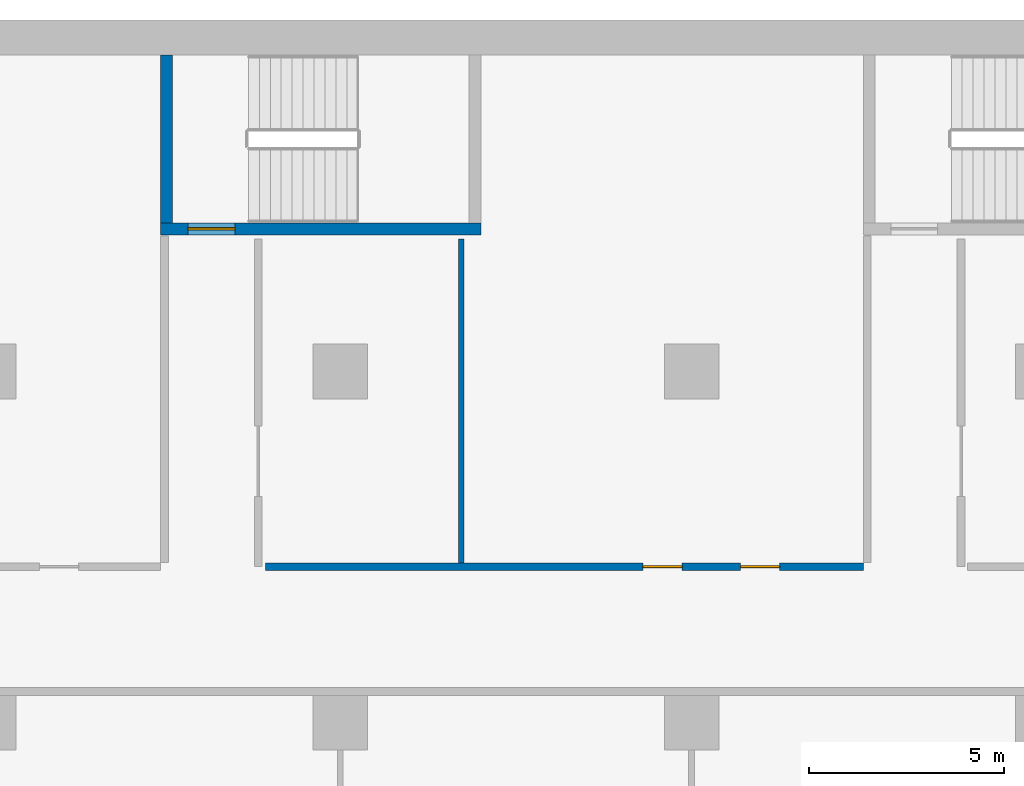
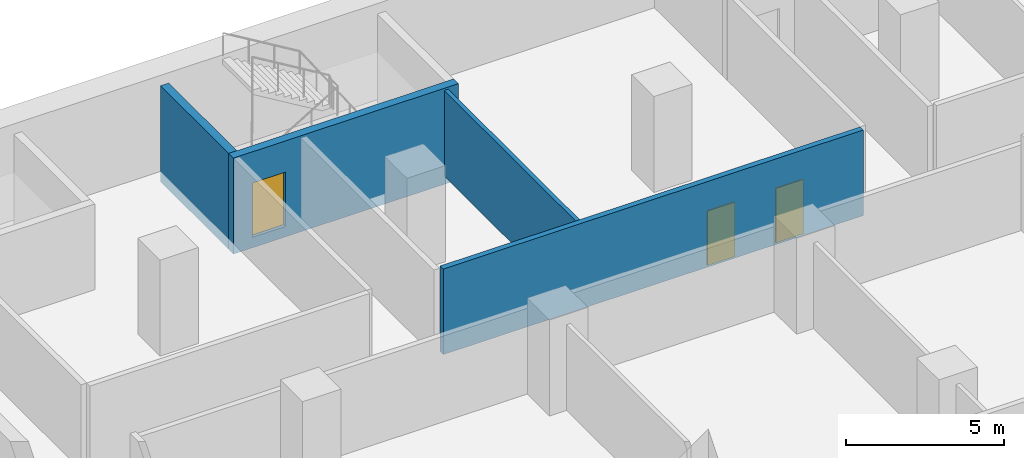
# One storey, part 16 of 28: 4 walls, 3 doors, 3 openings.
"""IFC4 building model written with IfcOpenShell, lengths in metres."""

from ifc_helpers import new_model, si_unit, direction, frame, frame_2d, origin, place, context, subcontext, project, spatial, rectangle, extrude, material, layer, layer_set, type_object, element, fill, save


model = new_model("IFC4")

# Units and contexts
model_context = context("Model", 3, precision=1e-05, world=origin(), true_north=direction((0.0, 1.0)))
body_context = subcontext(model_context, "Body", "Model", "MODEL_VIEW")
ifc_project = project(units=[si_unit("LENGTHUNIT", "METRE"), si_unit("AREAUNIT", "SQUARE_METRE"), si_unit("VOLUMEUNIT", "CUBIC_METRE"), si_unit("PLANEANGLEUNIT", "RADIAN"), si_unit("MASSUNIT", "GRAM", prefix="KILO")], contexts=[model_context])

# Site, building, storey
site_placement = place(None, origin())
site = spatial("IfcSite", under=ifc_project, at=site_placement, CompositionType="ELEMENT")
building_placement = place(site_placement, origin())
building = spatial("IfcBuilding", under=site, at=building_placement, Name="Hunhe Ridgeline Campus", CompositionType="ELEMENT")
storey_placement = place(building_placement, frame((0.0, 0.0, 61.699951171875)))
storey = spatial("IfcBuildingStorey", under=building, at=storey_placement, Name="L14", CompositionType="ELEMENT", Elevation=61.699951171875)

# Wall, openings, doors
ifc_material_1 = material(Name="Gypsum board partition")
ifc_layer_1 = layer(ifc_material_1, 0.199951171875)
ifc_layer_set_1 = layer_set([ifc_layer_1], Name="Corridor partition 200 gypsum board on steel studs")
wall_type_1 = type_object("IfcWallType", Name="Corridor partition 200 gypsum board on steel studs", PredefinedType="PARTITIONING", material=ifc_layer_set_1)
wall_1_placement = place(storey_placement, frame((52.087646484375, 85.0, 0.0), z_axis=(0.0, 0.0, 1.0), x_axis=(1.0, 0.0, 0.0)))
wall_1 = element("IfcWall", 1, at=wall_1_placement, inside=storey, type_object=wall_type_1, Name="F-L14-wall-044", PredefinedType="PARTITIONING", context=body_context, shape_type="SweptSolid", body=[
    extrude(rectangle(XDim=15.312255859375, YDim=0.199951171875, at=frame_2d((7.65625, 0.0))), origin(), (0.0, 0.0, 1.0), 3.300048828125),
])
opening_1_placement = place(wall_1_placement, frame((9.66650390625, 0.0, 0.0)))
opening_1 = element("IfcOpeningElement", 2, at=opening_1_placement, cuts=wall_1, Name="Opening RD1-042", PredefinedType="OPENING", context=body_context, shape_type="SweptSolid", body=[
    extrude(rectangle(XDim=1.0, YDim=2.10009765625, at=frame_2d((0.5, 1.050048828125))), frame((0.0, 0.10009765625, 0.0), z_axis=(0.0, -1.0, 0.0), x_axis=(1.0, 0.0, 0.0)), (0.0, 0.0, 1.0), 0.199951171875),
])
opening_2_placement = place(wall_1_placement, frame((12.16650390625, 0.0, 0.0)))
opening_2 = element("IfcOpeningElement", 3, at=opening_2_placement, cuts=wall_1, Name="Opening RD1-043", PredefinedType="OPENING", context=body_context, shape_type="SweptSolid", body=[
    extrude(rectangle(XDim=1.0, YDim=2.10009765625, at=frame_2d((0.5, 1.050048828125))), frame((0.0, 0.10009765625, 0.0), z_axis=(0.0, -1.0, 0.0), x_axis=(1.0, 0.0, 0.0)), (0.0, 0.0, 1.0), 0.199951171875),
])
ifc_material_2 = material(Name="Timber door leaf", Category="wood")
door_type_1 = type_object("IfcDoorType", Name="Single fire door 1000x2100 timber FD60", OperationType="NOTDEFINED", PredefinedType="DOOR", material=ifc_material_2)
door_1_placement = place(opening_1_placement, frame((1.0, 0.0, 0.0), z_axis=(0.0, 0.0, 1.0), x_axis=(-1.0, 0.0, 0.0)))
door_1 = element("IfcDoor", 4, at=door_1_placement, inside=storey, type_object=door_type_1, Name="F-L14-door-042", OperationType="SINGLE_SWING_RIGHT", OverallHeight=2.10009765625, OverallWidth=1.0, PredefinedType="DOOR", context=body_context, shape_type="SweptSolid", body=[
    extrude(rectangle(XDim=1.0, YDim=2.10009765625, at=frame_2d((0.5, 1.050048828125))), frame((0.0, 0.02490234375, 0.0), z_axis=(0.0, -1.0, 0.0), x_axis=(1.0, 0.0, 0.0)), (0.0, 0.0, 1.0), 0.050048828125),
])
fill(opening_1, door_1)
door_2_placement = place(opening_2_placement, frame((1.0, 0.0, 0.0), z_axis=(0.0, 0.0, 1.0), x_axis=(-1.0, 0.0, 0.0)))
door_2 = element("IfcDoor", 5, at=door_2_placement, inside=storey, type_object=door_type_1, Name="F-L14-door-043", OperationType="SINGLE_SWING_LEFT", OverallHeight=2.10009765625, OverallWidth=1.0, PredefinedType="DOOR", context=body_context, shape_type="SweptSolid", body=[
    extrude(rectangle(XDim=1.0, YDim=2.10009765625, at=frame_2d((0.5, 1.050048828125))), frame((0.0, 0.02490234375, 0.0), z_axis=(0.0, -1.0, 0.0), x_axis=(1.0, 0.0, 0.0)), (0.0, 0.0, 1.0), 0.050048828125),
])
fill(opening_2, door_2)

# Wall
ifc_layer_2 = layer(ifc_material_1, 0.14990234375)
ifc_layer_set_2 = layer_set([ifc_layer_2], Name="Room partition 150 gypsum board on steel studs")
wall_type_2 = type_object("IfcWallType", Name="Room partition 150 gypsum board on steel studs", PredefinedType="PARTITIONING", material=ifc_layer_set_2)
wall_2_placement = place(storey_placement, frame((57.10009765625, 93.39599609375, 0.0), z_axis=(0.0, 0.0, 1.0), x_axis=(0.0, -1.0, 0.0)))
element("IfcWall", 6, at=wall_2_placement, inside=storey, type_object=wall_type_2, Name="F-L14-wall-072", PredefinedType="PARTITIONING", context=body_context, shape_type="SweptSolid", body=[
    extrude(rectangle(XDim=8.2958984375, YDim=0.14990234375, at=frame_2d((4.14794921875, 0.0))), origin(), (0.0, 0.0, 1.0), 3.300048828125),
])

# Wall, opening, door
ifc_material_3 = material(Name="Concrete C80", Category="concrete")
ifc_layer_3 = layer(ifc_material_3, 0.300048828125)
ifc_layer_set_3 = layer_set([ifc_layer_3], Name="Stair wall 300 reinforced concrete C80")
wall_type_3 = type_object("IfcWallType", Name="Stair wall 300 reinforced concrete C80", PredefinedType="SOLIDWALL", material=ifc_layer_set_3)
wall_3_placement = place(storey_placement, frame((49.39990234375, 93.64990234375, -0.39990234375), z_axis=(0.0, 0.0, 1.0), x_axis=(1.0, 0.0, 0.0)))
wall_3 = element("IfcWall", 7, at=wall_3_placement, inside=storey, type_object=wall_type_3, Name="L14 core wall 32", PredefinedType="SOLIDWALL", context=body_context, shape_type="SweptSolid", body=[
    extrude(rectangle(XDim=8.2001953125, YDim=0.300048828125, at=frame_2d((4.10009765625, 0.0))), origin(), (0.0, 0.0, 1.0), 3.699951171875),
])
opening_3_placement = place(wall_3_placement, frame((0.699951171875, 0.0, 0.39990234375)))
opening_3 = element("IfcOpeningElement", 8, at=opening_3_placement, cuts=wall_3, Name="Opening CD18", PredefinedType="OPENING", context=body_context, shape_type="SweptSolid", body=[
    extrude(rectangle(XDim=1.199951171875, YDim=2.10009765625, at=frame_2d((0.60009765625, 1.050048828125))), frame((0.0, 0.14990234375, 0.0), z_axis=(0.0, -1.0, 0.0), x_axis=(1.0, 0.0, 0.0)), (0.0, 0.0, 1.0), 0.300048828125),
])
ifc_material_4 = material(Name="Hollow metal fire door leaf")
door_type_2 = type_object("IfcDoorType", Name="Stair door 1200x2100 FD60", OperationType="SINGLE_SWING_LEFT", PredefinedType="DOOR", material=ifc_material_4)
door_3_placement = place(opening_3_placement, frame((1.199951171875, 0.0, 0.0), z_axis=(0.0, 0.0, 1.0), x_axis=(-1.0, 0.0, 0.0)))
door_3 = element("IfcDoor", 9, at=door_3_placement, inside=storey, type_object=door_type_2, Name="L14 door E2", OperationType="SINGLE_SWING_LEFT", OverallHeight=2.10009765625, OverallWidth=1.199951171875, PredefinedType="DOOR", context=body_context, shape_type="SweptSolid", body=[
    extrude(rectangle(XDim=1.199951171875, YDim=2.10009765625, at=frame_2d((0.60009765625, 1.050048828125))), frame((0.0, 0.02490234375, 0.0), z_axis=(0.0, -1.0, 0.0), x_axis=(1.0, 0.0, 0.0)), (0.0, 0.0, 1.0), 0.050048828125),
])
fill(opening_3, door_3)

# Wall
wall_4_placement = place(storey_placement, frame((49.550048828125, 93.800048828125, -0.39990234375), z_axis=(0.0, 0.0, 1.0), x_axis=(0.0, 1.0, 0.0)))
element("IfcWall", 10, at=wall_4_placement, inside=storey, type_object=wall_type_3, Name="L14 core wall 66", PredefinedType="SOLIDWALL", context=body_context, shape_type="SweptSolid", body=[
    extrude(rectangle(XDim=4.300048828125, YDim=0.300048828125, at=frame_2d((2.14990234375, 0.0))), origin(), (0.0, 0.0, 1.0), 3.699951171875),
])

save(model, "model.ifc")
